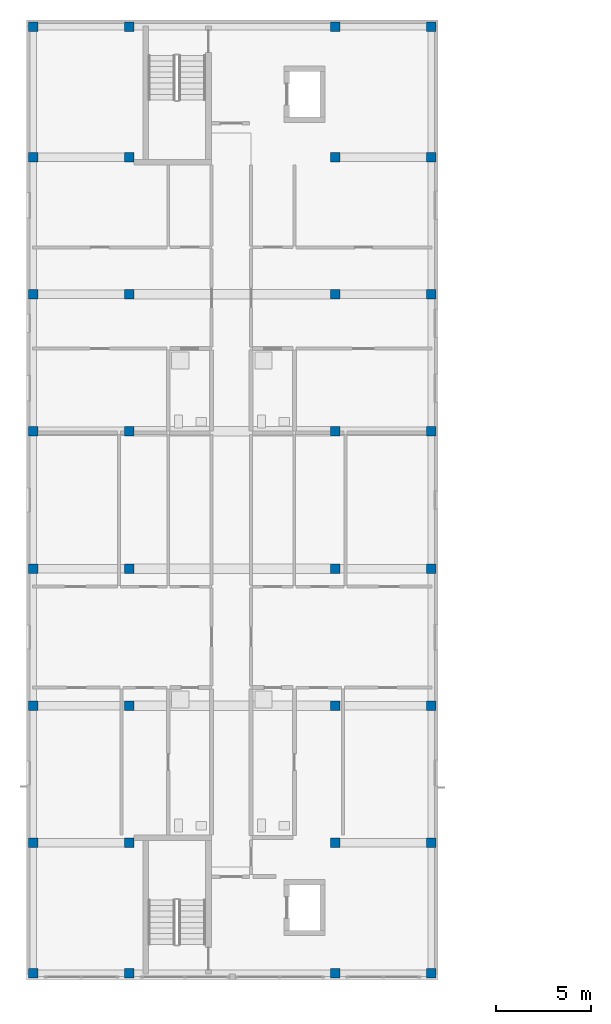
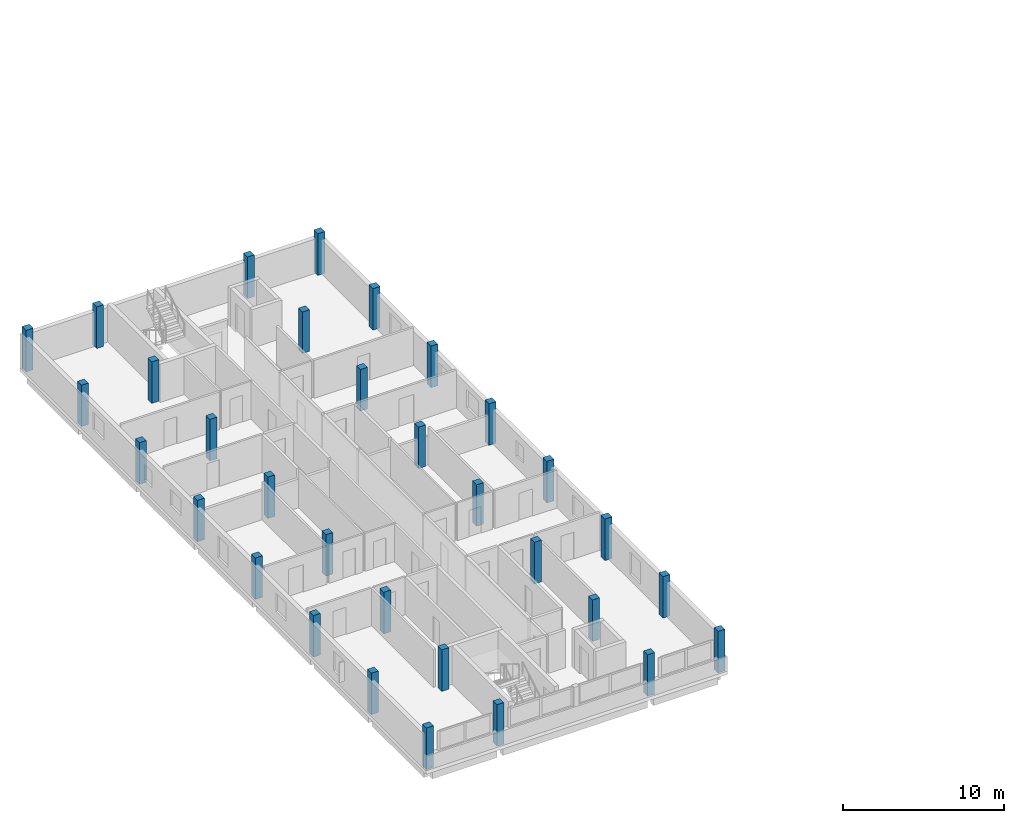
# One storey, part 1 of 16: 32 columns.
"""IFC4 building model written with IfcOpenShell, lengths in metres."""

from ifc_helpers import new_model, si_unit, derived_unit, direction, frame, origin, origin_2d, place, context, subcontext, project, spatial, rectangle, extrude, material, material_profile, profile_set, type_object, element, save


model = new_model("IFC4")

# Units and contexts
model_context = context("Model", 3, precision=1e-05, world=origin(), true_north=direction((0.0, 1.0)))
body_context = subcontext(model_context, "Body", "Model", "MODEL_VIEW")
ifc_project = project(units=[si_unit("LENGTHUNIT", "METRE"), si_unit("AREAUNIT", "SQUARE_METRE"), si_unit("VOLUMEUNIT", "CUBIC_METRE"), si_unit("PLANEANGLEUNIT", "RADIAN"), si_unit("MASSUNIT", "GRAM", prefix="KILO"), derived_unit("THERMALTRANSMITTANCEUNIT", [(si_unit("MASSUNIT", "GRAM", prefix="KILO"), 1), (si_unit("TIMEUNIT", "SECOND"), -3), (si_unit("THERMODYNAMICTEMPERATUREUNIT", "KELVIN"), -1)])], contexts=[model_context])

# Site, building, storey
site_placement = place(None, origin())
site = spatial("IfcSite", under=ifc_project, at=site_placement, CompositionType="ELEMENT")
building_placement = place(site_placement, origin())
building = spatial("IfcBuilding", under=site, at=building_placement, Name="Ochrekiln Boulevard Commons", CompositionType="ELEMENT")
storey_placement = place(building_placement, frame((0.0, 0.0, 43.574951171875)))
storey = spatial("IfcBuildingStorey", under=building, at=storey_placement, Name="L13", CompositionType="ELEMENT", Elevation=43.574951171875)

# Columns
ifc_material = material(Name="Concrete C35/45", Category="concrete")
ifc_material_profile = material_profile(ifc_material, rectangle(XDim=0.5, YDim=0.5, at=origin_2d()), Name="RC-COL-500x500")
ifc_profile_set = profile_set([ifc_material_profile], Name="Concrete C35/45")
column_type = type_object("IfcColumnType", Name="COL-RC-500", PredefinedType="COLUMN", material=ifc_profile_set)
for number, where, z_axis, x_axis, name in (
    (1, (0.35009765625, 68.75, 0.0), (0.0, 0.0, 1.0), (1.0, 0.0, 0.0), "Block A L13 Column C-500 (1)"),
    (2, (0.35009765625, 75.60009765625, 0.0), (0.0, 0.0, 1.0), (1.0, 0.0, 0.0), "Block A L13 Column C-500 (2)"),
    (3, (0.35009765625, 82.800048828125, 0.0), (0.0, 0.0, 1.0), (1.0, 0.0, 0.0), "Block A L13 Column C-500 (3)"),
    (4, (0.35009765625, 90.0, 0.0), (0.0, 0.0, 1.0), (1.0, 0.0, 0.0), "Block A L13 Column C-500 (4)"),
    (5, (0.35009765625, 97.199951171875, 0.0), (0.0, 0.0, 1.0), (1.0, 0.0, 0.0), "Block A L13 Column C-500 (5)"),
    (6, (0.35009765625, 104.39990234375, 0.0), (0.0, 0.0, 1.0), (1.0, 0.0, 0.0), "Block A L13 Column C-500 (6)"),
    (7, (0.35009765625, 111.60009765625, 0.0), (0.0, 0.0, 1.0), (1.0, 0.0, 0.0), "Block A L13 Column C-500 (7)"),
    (8, (0.35009765625, 118.449951171875, 0.0), (0.0, 0.0, 1.0), (1.0, 0.0, 0.0), "Block A L13 Column C-500 (8)"),
    (9, (5.39990234375, 68.75, 0.0), (0.0, 0.0, 1.0), (1.0, 0.0, 0.0), "Block A L13 Column C-500 (9)"),
    (10, (5.39990234375, 75.60009765625, 0.0), (0.0, 0.0, 1.0), (1.0, 0.0, 0.0), "Block A L13 Column C-500 (10)"),
    (11, (5.39990234375, 82.800048828125, 0.0), (0.0, 0.0, 1.0), (1.0, 0.0, 0.0), "Block A L13 Column C-500 (11)"),
    (12, (5.39990234375, 90.0, 0.0), (0.0, 0.0, 1.0), (1.0, 0.0, 0.0), "Block A L13 Column C-500 (12)"),
    (13, (5.39990234375, 97.199951171875, 0.0), (0.0, 0.0, 1.0), (1.0, 0.0, 0.0), "Block A L13 Column C-500 (13)"),
    (14, (5.39990234375, 104.39990234375, 0.0), (0.0, 0.0, 1.0), (1.0, 0.0, 0.0), "Block A L13 Column C-500 (14)"),
    (15, (5.39990234375, 111.60009765625, 0.0), (0.0, 0.0, 1.0), (1.0, 0.0, 0.0), "Block A L13 Column C-500 (15)"),
    (16, (5.39990234375, 118.449951171875, 0.0), (0.0, 0.0, 1.0), (1.0, 0.0, 0.0), "Block A L13 Column C-500 (16)"),
    (17, (16.199951171875, 68.75, 0.0), (0.0, 0.0, 1.0), (1.0, 0.0, 0.0), "Block A L13 Column C-500 (17)"),
    (18, (16.199951171875, 75.60009765625, 0.0), (0.0, 0.0, 1.0), (1.0, 0.0, 0.0), "Block A L13 Column C-500 (18)"),
    (19, (16.199951171875, 82.800048828125, 0.0), (0.0, 0.0, 1.0), (1.0, 0.0, 0.0), "Block A L13 Column C-500 (19)"),
    (20, (16.199951171875, 90.0, 0.0), (0.0, 0.0, 1.0), (1.0, 0.0, 0.0), "Block A L13 Column C-500 (20)"),
    (21, (16.199951171875, 97.199951171875, 0.0), (0.0, 0.0, 1.0), (1.0, 0.0, 0.0), "Block A L13 Column C-500 (21)"),
    (22, (16.199951171875, 104.39990234375, 0.0), (0.0, 0.0, 1.0), (1.0, 0.0, 0.0), "Block A L13 Column C-500 (22)"),
    (23, (16.199951171875, 111.60009765625, 0.0), (0.0, 0.0, 1.0), (1.0, 0.0, 0.0), "Block A L13 Column C-500 (23)"),
    (24, (16.199951171875, 118.449951171875, 0.0), (0.0, 0.0, 1.0), (1.0, 0.0, 0.0), "Block A L13 Column C-500 (24)"),
    (25, (21.25, 68.75, 0.0), (0.0, 0.0, 1.0), (1.0, 0.0, 0.0), "Block A L13 Column C-500 (25)"),
    (26, (21.25, 75.60009765625, 0.0), (0.0, 0.0, 1.0), (1.0, 0.0, 0.0), "Block A L13 Column C-500 (26)"),
    (27, (21.25, 82.800048828125, 0.0), (0.0, 0.0, 1.0), (1.0, 0.0, 0.0), "Block A L13 Column C-500 (27)"),
    (28, (21.25, 90.0, 0.0), (0.0, 0.0, 1.0), (1.0, 0.0, 0.0), "Block A L13 Column C-500 (28)"),
    (29, (21.25, 97.199951171875, 0.0), (0.0, 0.0, 1.0), (1.0, 0.0, 0.0), "Block A L13 Column C-500 (29)"),
    (30, (21.25, 104.39990234375, 0.0), (0.0, 0.0, 1.0), (1.0, 0.0, 0.0), "Block A L13 Column C-500 (30)"),
    (31, (21.25, 111.60009765625, 0.0), (0.0, 0.0, 1.0), (1.0, 0.0, 0.0), "Block A L13 Column C-500 (31)"),
    (32, (21.25, 118.449951171875, 0.0), (0.0, 0.0, 1.0), (1.0, 0.0, 0.0), "Block A L13 Column C-500 (32)"),
):
    element("IfcColumn", number, at=place(storey_placement, frame(where, z_axis=z_axis, x_axis=x_axis)), inside=storey, type_object=column_type, Name=name, PredefinedType="COLUMN", context=body_context, shape_type="SweptSolid", body=[
        extrude(rectangle(XDim=0.5, YDim=0.5, at=origin_2d()), origin(), (0.0, 0.0, 1.0), 3.150146484375),
    ])

save(model, "model.ifc")
